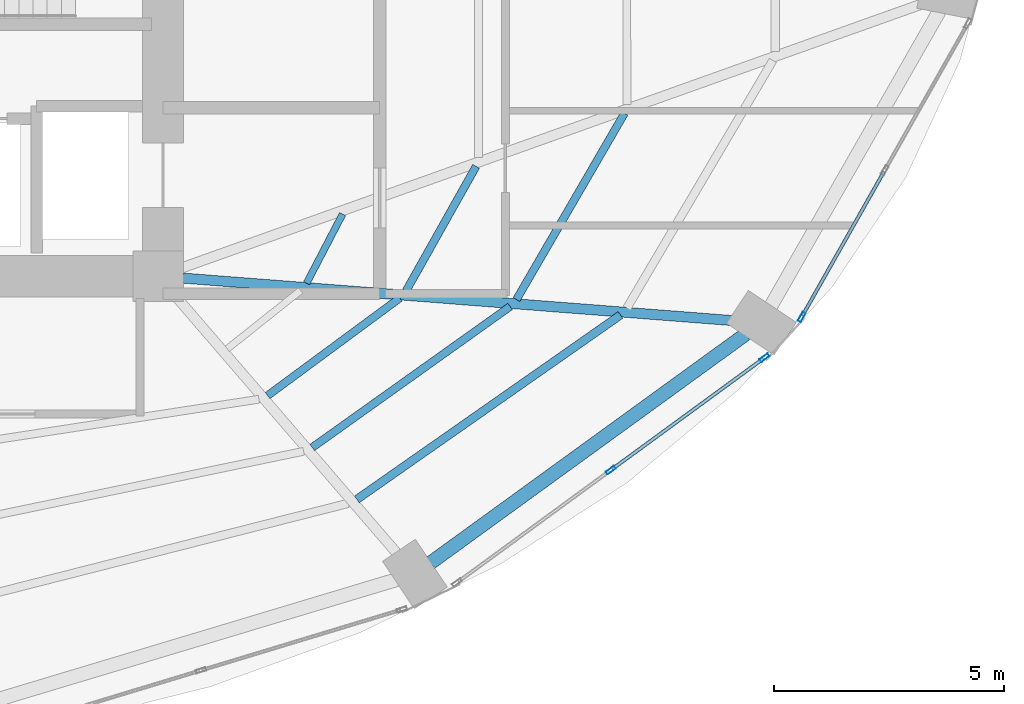
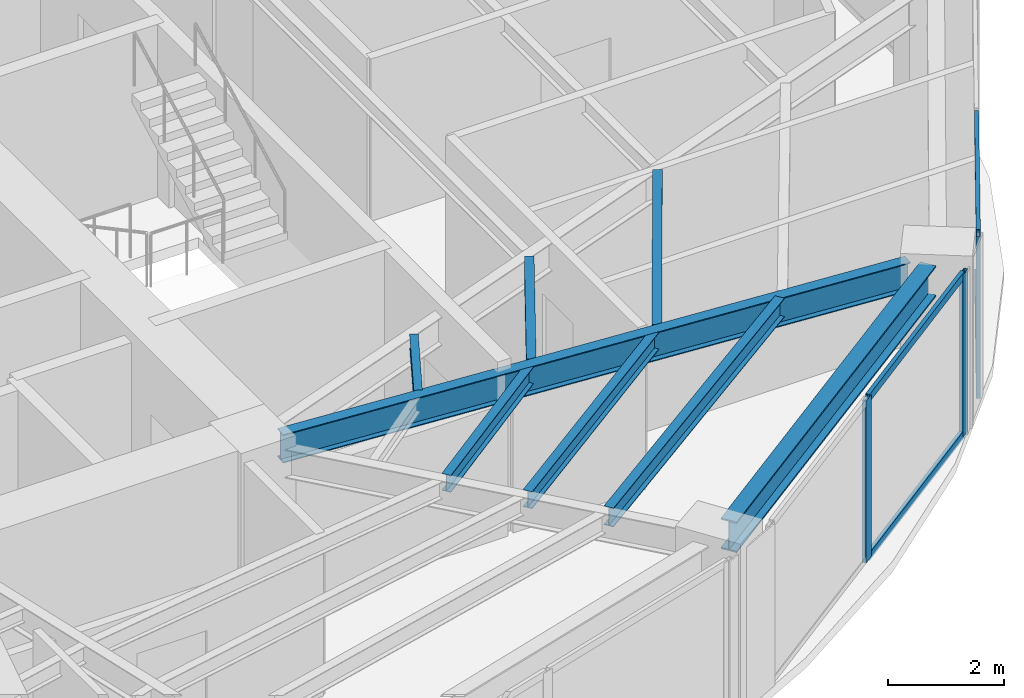
# One storey, part 11 of 25: 8 beams, 7 members, 2 elements without a shape of their own.
"""IFC4 building model written with IfcOpenShell, lengths in metres."""

import ifcopenshell
import ifcopenshell.guid

model = None  # the IFC model being written
_history = None  # IfcOwnerHistory: only IFC2X3 demands one
_inside = {}  # id of a spatial element -> (the spatial element, [elements in it])
_under = {}  # id of a project, library or spatial element -> (it, [spatial elements below it])
_declared = {}  # id of a project -> (the project, [libraries it declares])
_typed = {}  # id of a type object -> (the type object, [elements of that type])
_made_of = {}  # id of a material, layer set ... -> (it, [elements and type objects made of it])


def new_model(schema):
    """Start an empty IFC model of exactly this schema.

    Asked for "IFC4X3", IfcOpenShell would pick the latest addendum, in which some entities
    have other attributes; the version numbers below select the first issue.
    IFC2X3 requires an IfcOwnerHistory on every rooted entity: one is made here for all.
    """
    global model, _history
    if schema == "IFC4X3":
        model = ifcopenshell.file(schema_version=(4, 3, 0, 0))
    else:
        model = ifcopenshell.file(schema=schema)
    _inside.clear()
    _under.clear()
    _declared.clear()
    _typed.clear()
    _made_of.clear()
    _history = None
    if model.schema == "IFC2X3":
        org = make("IfcOrganization", Name="unknown")
        user = make(
            "IfcPersonAndOrganization",
            ThePerson=make("IfcPerson", FamilyName="unknown"),
            TheOrganization=org,
        )
        app = make(
            "IfcApplication",
            ApplicationDeveloper=org,
            Version="unknown",
            ApplicationFullName="unknown",
            ApplicationIdentifier="unknown",
        )
        _history = make(
            "IfcOwnerHistory",
            OwningUser=user,
            OwningApplication=app,
            ChangeAction="ADDED",
            CreationDate=0,
        )
    return model


def make(cls, **values):
    """One entity of the class cls with the attributes given. An attribute that is None is left unset."""
    return model.create_entity(
        cls, **{name: value for name, value in values.items() if value is not None}
    )


def rooted(cls, **values):
    """An entity with a GlobalId (a new one), such as an element, a storey or a relation."""
    return make(cls, GlobalId=ifcopenshell.guid.new(), OwnerHistory=_history, **values)


def si_unit(unit_type, name, prefix=None):
    """IfcSIUnit, for example si_unit("LENGTHUNIT", "METRE", prefix="MILLI")."""
    return make("IfcSIUnit", UnitType=unit_type, Prefix=prefix, Name=name)


def assignment(units):
    """IfcUnitAssignment: the units of a project."""
    return None if units is None else make("IfcUnitAssignment", Units=units)


def point(xyz):
    """IfcCartesianPoint."""
    return None if xyz is None else make("IfcCartesianPoint", Coordinates=xyz)


def direction(xyz):
    """IfcDirection."""
    return None if xyz is None else make("IfcDirection", DirectionRatios=xyz)


def frame(location, z_axis=None, x_axis=None):
    """IfcAxis2Placement3D, a coordinate frame: its origin and axes. An axis left out is left unset."""
    return make(
        "IfcAxis2Placement3D",
        Location=point(location),
        Axis=direction(z_axis),
        RefDirection=direction(x_axis),
    )


def frame_2d(location, x_axis=None):
    """IfcAxis2Placement2D, a coordinate frame in the plane: its origin and x axis."""
    return make(
        "IfcAxis2Placement2D", Location=point(location), RefDirection=direction(x_axis)
    )


def origin():
    """The frame at (0, 0, 0) with its axes left unset."""
    return frame((0.0, 0.0, 0.0))


def origin_2d():
    """The frame at (0, 0) in the plane with its x axis left unset."""
    return frame_2d((0.0, 0.0))


def place(relative_to, where):
    """IfcLocalPlacement: puts the frame where relative to a parent placement (None: the world)."""
    return make(
        "IfcLocalPlacement", PlacementRelTo=relative_to, RelativePlacement=where
    )


def context(
    kind, dimensions, precision=None, world=None, true_north=None, identifier=None
):
    """IfcGeometricRepresentationContext, for example the 3D "Model" context."""
    return make(
        "IfcGeometricRepresentationContext",
        ContextIdentifier=identifier,
        ContextType=kind,
        CoordinateSpaceDimension=dimensions,
        Precision=precision,
        WorldCoordinateSystem=world,
        TrueNorth=true_north,
    )


def subcontext(parent, identifier, kind, view, scale=None):
    """IfcGeometricRepresentationSubContext, for example "Body" below "Model"."""
    return make(
        "IfcGeometricRepresentationSubContext",
        ContextIdentifier=identifier,
        ContextType=kind,
        ParentContext=parent,
        TargetScale=scale,
        TargetView=view,
    )


def project(units=None, contexts=None):
    """IfcProject with its units and contexts."""
    return rooted(
        "IfcProject",
        Name="project",
        RepresentationContexts=contexts,
        UnitsInContext=assignment(units),
    )


def spatial(cls, under=None, at=None, **own):
    """A site, building, storey or space (cls), placed at a placement, below another one or the project."""
    s = rooted(cls, ObjectPlacement=at, **own)
    if under is not None:
        _under.setdefault(under.id(), (under, []))[1].append(s)
    return s


def profile(cls, at=None, kind="AREA", **sizes):
    """A parametric profile (cls). Its sizes go by their IFC names, for example OverallWidth=200.0."""
    return make(cls, ProfileType=kind, Position=at, **sizes)


def hollow_rectangle(**sizes):
    """IfcRectangleHollowProfileDef."""
    return profile("IfcRectangleHollowProfileDef", **sizes)


def i_section(**sizes):
    """IfcIShapeProfileDef."""
    return profile("IfcIShapeProfileDef", **sizes)


def extrude(swept, where, along, depth):
    """IfcExtrudedAreaSolid: the profile swept, set in the frame where, extruded along a direction by depth."""
    return make(
        "IfcExtrudedAreaSolid",
        SweptArea=swept,
        Position=where,
        ExtrudedDirection=direction(along),
        Depth=depth,
    )


def shape(context_of_items, identifier, shape_type, items):
    """IfcShapeRepresentation: the items that make up one representation, for example the "Body"."""
    return make(
        "IfcShapeRepresentation",
        ContextOfItems=context_of_items,
        RepresentationIdentifier=identifier,
        RepresentationType=shape_type,
        Items=items,
    )


def material(Name=None, Category=None):
    """IfcMaterial."""
    return make("IfcMaterial", Name=Name, Category=Category)


def layer(
    of_material, thickness, ventilated=None, Name=None, Category=None, Priority=None
):
    """IfcMaterialLayer: one layer of a wall or slab, of a material (None: an air gap)."""
    return make(
        "IfcMaterialLayer",
        Material=of_material,
        LayerThickness=thickness,
        IsVentilated=ventilated,
        Name=Name,
        Category=Category,
        Priority=Priority,
    )


def layer_set(layers, Name=None):
    """IfcMaterialLayerSet."""
    return make("IfcMaterialLayerSet", MaterialLayers=layers, LayerSetName=Name)


def material_profile(
    of_material, cross_section, Name=None, Category=None, Priority=None
):
    """IfcMaterialProfile: a cross section and its material."""
    return make(
        "IfcMaterialProfile",
        Name=Name,
        Material=of_material,
        Profile=cross_section,
        Priority=Priority,
        Category=Category,
    )


def profile_set(profiles, Name=None, composite=None):
    """IfcMaterialProfileSet."""
    return make(
        "IfcMaterialProfileSet",
        Name=Name,
        MaterialProfiles=profiles,
        CompositeProfile=composite,
    )


def made_of(thing, what):
    """Note that an element or type object is made of a material, layer set ...; save() writes the relation."""
    if what is not None:
        _made_of.setdefault(what.id(), (what, []))[1].append(thing)
    return thing


def type_object(cls, material=None, **own):
    """A type object (cls), such as IfcWallType, which elements share."""
    return made_of(rooted(cls, **own), material)


def element(
    cls,
    number,
    at=None,
    inside=None,
    cuts=None,
    type_object=None,
    material=None,
    context=None,
    identifier="Body",
    shape_type=None,
    held_by="IfcProductDefinitionShape",
    body=None,
    shapes=None,
    **own,
):
    """One element of the class cls, such as IfcWall. Its Tag is "e" and its number.

    at: its placement. inside: the storey or other place that contains it. cuts: it is an
    opening in that element (IfcRelVoidsElement). A single representation is given by context,
    identifier, shape_type and body (its items); several are given by shapes. held_by: the class
    of the entity that holds the representations. save() writes the other relations.
    """
    e = rooted(cls, Tag="e%d" % number, ObjectPlacement=at, **own)
    if body is not None:
        shapes = [shape(context, identifier, shape_type, body)]
    if shapes is not None:
        e.Representation = make(held_by, Representations=shapes)
    if inside is not None:
        _inside.setdefault(inside.id(), (inside, []))[1].append(e)
    if cuts is not None:
        rooted(
            "IfcRelVoidsElement", RelatingBuildingElement=cuts, RelatedOpeningElement=e
        )
    if type_object is not None:
        _typed.setdefault(type_object.id(), (type_object, []))[1].append(e)
    return made_of(e, material)


def aggregate(whole, parts):
    """IfcRelAggregates: a whole, such as a stair, and the parts it consists of."""
    return rooted("IfcRelAggregates", RelatingObject=whole, RelatedObjects=parts)


def save(model, path):
    """Write the relations noted so far, then the file.

    IfcRelAggregates (storeys below a building ...), IfcRelContainedInSpatialStructure (elements
    in a storey), IfcRelDefinesByType, IfcRelAssociatesMaterial and IfcRelDeclares: one each for
    every whole, place, type object, material and project.
    """
    for whole, parts in _under.values():
        aggregate(whole, parts)
    for where, things in _inside.values():
        rooted(
            "IfcRelContainedInSpatialStructure",
            RelatedElements=things,
            RelatingStructure=where,
        )
    for kind, things in _typed.values():
        rooted("IfcRelDefinesByType", RelatedObjects=things, RelatingType=kind)
    for what, things in _made_of.values():
        rooted("IfcRelAssociatesMaterial", RelatedObjects=things, RelatingMaterial=what)
    for by, libraries in _declared.values():
        rooted("IfcRelDeclares", RelatingContext=by, RelatedDefinitions=libraries)
    model.write(path)


model = new_model("IFC4")

# Units and contexts
model_context = context("Model", 3, precision=1e-05, world=origin(), true_north=direction((0.0, 1.0)))
body_context = subcontext(model_context, "Body", "Model", "MODEL_VIEW")
ifc_project = project(units=[si_unit("LENGTHUNIT", "METRE"), si_unit("AREAUNIT", "SQUARE_METRE"), si_unit("VOLUMEUNIT", "CUBIC_METRE"), si_unit("PLANEANGLEUNIT", "RADIAN"), si_unit("MASSUNIT", "GRAM", prefix="KILO")], contexts=[model_context])

# Site, building, storey
site_placement = place(None, origin())
site = spatial("IfcSite", under=ifc_project, at=site_placement, CompositionType="ELEMENT")
building_placement = place(site_placement, origin())
building = spatial("IfcBuilding", under=site, at=building_placement, Name="Lazwardi Medical Tower", CompositionType="ELEMENT")
storey_placement = place(building_placement, frame((0.0, 0.0, 50.736083984375)))
storey = spatial("IfcBuildingStorey", under=building, at=storey_placement, Name="L12", CompositionType="ELEMENT", Elevation=50.736083984375)

# Beams
ifc_material_1 = material(Name="Steel S355", Category="steel")
ifc_material_profile_1 = material_profile(ifc_material_1, i_section(OverallWidth=0.300048828125, OverallDepth=0.64990234375, WebThickness=0.01611328125, FlangeThickness=0.031005859375, at=origin_2d()), Name="HEB 650")
ifc_profile_set_1 = profile_set([ifc_material_profile_1], Name="Steel S355")
beam_type_1 = type_object("IfcBeamType", Name="BM-RB-Z1", PredefinedType="BEAM", material=ifc_profile_set_1)
beam_1_placement = place(storey_placement, frame((51.52099609375, 14.16259765625, 3.10302734375), z_axis=(0.80939338516, 0.5872668457, 0.0), x_axis=(-0.5872668457, 0.80939338516, 0.0)))
element("IfcBeam", 1, at=beam_1_placement, inside=storey, type_object=beam_type_1, Name="Ring beam RB-02 B02 L12", PredefinedType="BEAM", context=body_context, shape_type="SweptSolid", body=[
    extrude(i_section(OverallWidth=0.300048828125, OverallDepth=0.64990234375, WebThickness=0.01611328125, FlangeThickness=0.031005859375, at=origin_2d()), origin(), (0.0, 0.0, 1.0), 8.47412109375),
])
ifc_material_profile_2 = material_profile(ifc_material_1, i_section(OverallWidth=0.219970703125, OverallDepth=0.60009765625, WebThickness=0.011962890625, FlangeThickness=0.01904296875, at=origin_2d()), Name="IPE 600")
ifc_profile_set_2 = profile_set([ifc_material_profile_2], Name="Steel S355")
beam_type_2 = type_object("IfcBeamType", Name="BM-RG-W1", PredefinedType="BEAM", material=ifc_profile_set_2)
beam_2_placement = place(storey_placement, frame((58.1416015625, 19.430419921875, 3.1279296875), z_axis=(-0.997024241118, 0.077088667283, 0.0), x_axis=(-0.077088667283, -0.997024241118, 0.0)))
element("IfcBeam", 2, at=beam_2_placement, inside=storey, type_object=beam_type_2, Name="Radial girder RG-02 R03 L12", PredefinedType="BEAM", context=body_context, shape_type="SweptSolid", body=[
    extrude(i_section(OverallWidth=0.219970703125, OverallDepth=0.60009765625, WebThickness=0.011962890625, FlangeThickness=0.01904296875, at=origin_2d()), origin(), (0.0, 0.0, 1.0), 12.044189453125),
])
ifc_material_profile_3 = material_profile(ifc_material_1, i_section(OverallWidth=0.179931640625, OverallDepth=0.39990234375, WebThickness=0.008544921875, FlangeThickness=0.013427734375, at=origin_2d()), Name="IPE 400")
ifc_profile_set_3 = profile_set([ifc_material_profile_3], Name="Steel S355")
beam_type_3 = type_object("IfcBeamType", Name="BM-SJ-01", PredefinedType="JOIST", material=ifc_profile_set_3)
beam_3_placement = place(storey_placement, frame((49.91796875, 15.543701171875, 3.22802734375), z_axis=(0.81942522483, 0.573186096231, 0.0), x_axis=(-0.573186096231, 0.81942522483, 0.0)))
element("IfcBeam", 3, at=beam_3_placement, inside=storey, type_object=beam_type_3, Name="Secondary joist SJ-01 R1 B02 L12", PredefinedType="JOIST", context=body_context, shape_type="SweptSolid", body=[
    extrude(i_section(OverallWidth=0.179931640625, OverallDepth=0.39990234375, WebThickness=0.008544921875, FlangeThickness=0.013427734375, at=origin_2d()), origin(), (0.0, 0.0, 1.0), 6.999755859375),
])
ifc_material_profile_4 = material_profile(ifc_material_1, i_section(OverallWidth=0.169921875, OverallDepth=0.360107421875, WebThickness=0.008056640625, FlangeThickness=0.0126953125, at=origin_2d()), Name="IPE 360")
ifc_profile_set_4 = profile_set([ifc_material_profile_4], Name="Steel S355")
beam_type_4 = type_object("IfcBeamType", Name="BM-SJ-02", PredefinedType="JOIST", material=ifc_profile_set_4)
beam_4_placement = place(storey_placement, frame((48.94677734375, 16.672119140625, 3.247802734375), z_axis=(0.814341377136, 0.580386183058, 0.0), x_axis=(-0.580386183058, 0.814341377136, 0.0)))
element("IfcBeam", 4, at=beam_4_placement, inside=storey, type_object=beam_type_4, Name="Secondary joist SJ-02 R2 B02 L12", PredefinedType="JOIST", context=body_context, shape_type="SweptSolid", body=[
    extrude(i_section(OverallWidth=0.169921875, OverallDepth=0.360107421875, WebThickness=0.008056640625, FlangeThickness=0.0126953125, at=origin_2d()), origin(), (0.0, 0.0, 1.0), 5.28759765625),
])
beam_5_placement = place(storey_placement, frame((53.39111328125, 19.892578125, 3.247802734375), z_axis=(0.501798442848, 0.86498457949, 0.0), x_axis=(-0.86498457949, 0.501798442848, 0.0)))
element("IfcBeam", 5, at=beam_5_placement, inside=storey, type_object=beam_type_4, Name="Secondary joist SJ-02 R2 B03 L12", PredefinedType="JOIST", context=body_context, shape_type="SweptSolid", body=[
    extrude(i_section(OverallWidth=0.169921875, OverallDepth=0.360107421875, WebThickness=0.008056640625, FlangeThickness=0.0126953125, at=origin_2d()), origin(), (0.0, 0.0, 1.0), 4.683349609375),
])
beam_6_placement = place(storey_placement, frame((47.974853515625, 17.80126953125, 3.247802734375), z_axis=(0.804580292353, 0.593843879448, 0.0), x_axis=(-0.593843879448, 0.804580292353, 0.0)))
element("IfcBeam", 6, at=beam_6_placement, inside=storey, type_object=beam_type_4, Name="Secondary joist SJ-02 R3 B02 L12", PredefinedType="JOIST", context=body_context, shape_type="SweptSolid", body=[
    extrude(i_section(OverallWidth=0.169921875, OverallDepth=0.360107421875, WebThickness=0.008056640625, FlangeThickness=0.0126953125, at=origin_2d()), origin(), (0.0, 0.0, 1.0), 3.576416015625),
])
beam_7_placement = place(storey_placement, frame((50.988037109375, 20.0791015625, 3.247802734375), z_axis=(0.489974339037, 0.87173685656, 0.0), x_axis=(-0.87173685656, 0.489974339037, 0.0)))
element("IfcBeam", 7, at=beam_7_placement, inside=storey, type_object=beam_type_4, Name="Secondary joist SJ-02 R3 B03 L12", PredefinedType="JOIST", context=body_context, shape_type="SweptSolid", body=[
    extrude(i_section(OverallWidth=0.169921875, OverallDepth=0.360107421875, WebThickness=0.008056640625, FlangeThickness=0.0126953125, at=origin_2d()), origin(), (0.0, 0.0, 1.0), 3.111328125),
])
ifc_material_profile_5 = material_profile(ifc_material_1, i_section(OverallWidth=0.14990234375, OverallDepth=0.300048828125, WebThickness=0.007080078125, FlangeThickness=0.0107421875, at=origin_2d()), Name="IPE 300")
ifc_profile_set_5 = profile_set([ifc_material_profile_5], Name="Steel S355")
beam_type_5 = type_object("IfcBeamType", Name="BM-SJ-03", PredefinedType="JOIST", material=ifc_profile_set_5)
beam_8_placement = place(storey_placement, frame((48.82373046875, 20.247802734375, 3.27783203125), z_axis=(0.462162985948, 0.88679500135, 0.0), x_axis=(-0.88679500135, 0.462162985948, 0.0)))
element("IfcBeam", 8, at=beam_8_placement, inside=storey, type_object=beam_type_5, Name="Secondary joist SJ-03 R4 B03 L12", PredefinedType="JOIST", context=body_context, shape_type="SweptSolid", body=[
    extrude(i_section(OverallWidth=0.14990234375, OverallDepth=0.300048828125, WebThickness=0.007080078125, FlangeThickness=0.0107421875, at=origin_2d()), origin(), (0.0, 0.0, 1.0), 1.69775390625),
])

# Curtain wall, members
ifc_material_2 = material(Name="Anodised bronze aluminium and solar control glazing", Category="aluminium")
ifc_layer = layer(ifc_material_2, 0.199951171875)
ifc_layer_set = layer_set([ifc_layer], Name="Anodised bronze aluminium and solar control glazing")
curtain_wall_type = type_object("IfcCurtainWallType", Name="CW-SYS-02", PredefinedType="NOTDEFINED", material=ifc_layer_set)
curtain_wall_1_placement = place(storey_placement, origin())
curtain_wall_1 = element("IfcCurtainWall", 9, at=curtain_wall_1_placement, inside=storey, type_object=curtain_wall_type, Name="L12 Unitised bronze curtain wall CW-02", PredefinedType="NOTDEFINED")
ifc_material_3 = material(Name="Anodised bronze aluminium", Category="aluminium")
ifc_material_profile_6 = material_profile(ifc_material_3, hollow_rectangle(XDim=0.074951171875, YDim=0.219970703125, WallThickness=0.00390625, at=origin_2d()), Name="ALU-MULLION 220x75x4")
ifc_profile_set_6 = profile_set([ifc_material_profile_6], Name="Anodised bronze aluminium")
member_type_1 = type_object("IfcMemberType", Name="CW-MUL-01", PredefinedType="MULLION", material=ifc_profile_set_6)
member_1_placement = place(storey_placement, frame((55.4443359375, 16.1806640625, 0.0), z_axis=(0.0, 0.0, 1.0), x_axis=(-0.590289307341, 0.807191757663, 0.0)))
member_1 = element("IfcMember", 10, at=member_1_placement, type_object=member_type_1, Name="CW-02 mullion 2", PredefinedType="MULLION", context=body_context, shape_type="SweptSolid", body=[
    extrude(hollow_rectangle(XDim=0.074951171875, YDim=0.219970703125, WallThickness=0.00390625, at=origin_2d()), origin(), (0.0, 0.0, 1.0), 3.427978515625),
])
member_2_placement = place(storey_placement, frame((58.790283203125, 18.62744140625, 0.0), z_axis=(0.0, 0.0, 1.0), x_axis=(-0.590289307341, 0.807191757663, 0.0)))
member_2 = element("IfcMember", 11, at=member_2_placement, type_object=member_type_1, Name="CW-02 mullion 3", PredefinedType="MULLION", context=body_context, shape_type="SweptSolid", body=[
    extrude(hollow_rectangle(XDim=0.074951171875, YDim=0.219970703125, WallThickness=0.00390625, at=origin_2d()), origin(), (0.0, 0.0, 1.0), 3.427978515625),
])

# Curtain wall, member
curtain_wall_2_placement = place(storey_placement, origin())
curtain_wall_2 = element("IfcCurtainWall", 12, at=curtain_wall_2_placement, inside=storey, type_object=curtain_wall_type, Name="L12 Unitised bronze curtain wall CW-02", PredefinedType="NOTDEFINED")
member_3_placement = place(storey_placement, frame((59.5966796875, 19.511474609375, 0.0), z_axis=(0.0, 0.0, 1.0), x_axis=(-0.870111838823, 0.492854327303, 0.0)))
member_3 = element("IfcMember", 13, at=member_3_placement, type_object=member_type_1, Name="CW-02 mullion 1", PredefinedType="MULLION", context=body_context, shape_type="SweptSolid", body=[
    extrude(hollow_rectangle(XDim=0.074951171875, YDim=0.219970703125, WallThickness=0.00390625, at=origin_2d()), origin(), (0.0, 0.0, 1.0), 3.427978515625),
])

# Member
ifc_material_profile_7 = material_profile(ifc_material_3, hollow_rectangle(XDim=0.074951171875, YDim=0.159912109375, WallThickness=0.00390625, at=origin_2d()), Name="ALU-TRANSOM 160x75x4")
ifc_profile_set_7 = profile_set([ifc_material_profile_7], Name="Anodised bronze aluminium")
member_type_2 = type_object("IfcMemberType", Name="CW-TRN-01", PredefinedType="USERDEFINED", material=ifc_profile_set_7)
member_4_placement = place(storey_placement, frame((55.474609375, 16.202880859375, 0.037353515625), z_axis=(0.807218536774, 0.590252686472, 0.0), x_axis=(-0.590252686472, 0.807218536774, 0.0)))
member_4 = element("IfcMember", 14, at=member_4_placement, type_object=member_type_2, Name="CW-02 transom 2.1", ObjectType="TRANSOM", PredefinedType="USERDEFINED", context=body_context, shape_type="SweptSolid", body=[
    extrude(hollow_rectangle(XDim=0.074951171875, YDim=0.159912109375, WallThickness=0.00390625, at=origin_2d()), origin(), (0.0, 0.0, 1.0), 4.070068359375),
])

member_5_placement = place(storey_placement, frame((55.474609375, 16.202880859375, 3.390380859375), z_axis=(0.807218536774, 0.590252686472, 0.0), x_axis=(-0.590252686472, 0.807218536774, 0.0)))
member_5 = element("IfcMember", 15, at=member_5_placement, type_object=member_type_2, Name="CW-02 transom 2.2", ObjectType="TRANSOM", PredefinedType="USERDEFINED", context=body_context, shape_type="SweptSolid", body=[
    extrude(hollow_rectangle(XDim=0.074951171875, YDim=0.159912109375, WallThickness=0.00390625, at=origin_2d()), origin(), (0.0, 0.0, 1.0), 4.070068359375),
])

aggregate(curtain_wall_1, [member_1, member_2, member_4, member_5])

member_6_placement = place(storey_placement, frame((59.615234375, 19.5439453125, 0.037353515625), z_axis=(0.49285148925, 0.870113446365, 0.0), x_axis=(-0.870113446365, 0.49285148925, 0.0)))
member_6 = element("IfcMember", 16, at=member_6_placement, type_object=member_type_2, Name="CW-02 transom 1.1", ObjectType="TRANSOM", PredefinedType="USERDEFINED", context=body_context, shape_type="SweptSolid", body=[
    extrude(hollow_rectangle(XDim=0.074951171875, YDim=0.159912109375, WallThickness=0.00390625, at=origin_2d()), origin(), (0.0, 0.0, 1.0), 3.594970703125),
])

member_7_placement = place(storey_placement, frame((59.615234375, 19.5439453125, 3.390380859375), z_axis=(0.49285148925, 0.870113446365, 0.0), x_axis=(-0.870113446365, 0.49285148925, 0.0)))
member_7 = element("IfcMember", 17, at=member_7_placement, type_object=member_type_2, Name="CW-02 transom 1.2", ObjectType="TRANSOM", PredefinedType="USERDEFINED", context=body_context, shape_type="SweptSolid", body=[
    extrude(hollow_rectangle(XDim=0.074951171875, YDim=0.159912109375, WallThickness=0.00390625, at=origin_2d()), origin(), (0.0, 0.0, 1.0), 3.594970703125),
])

aggregate(curtain_wall_2, [member_3, member_6, member_7])

save(model, "model.ifc")
